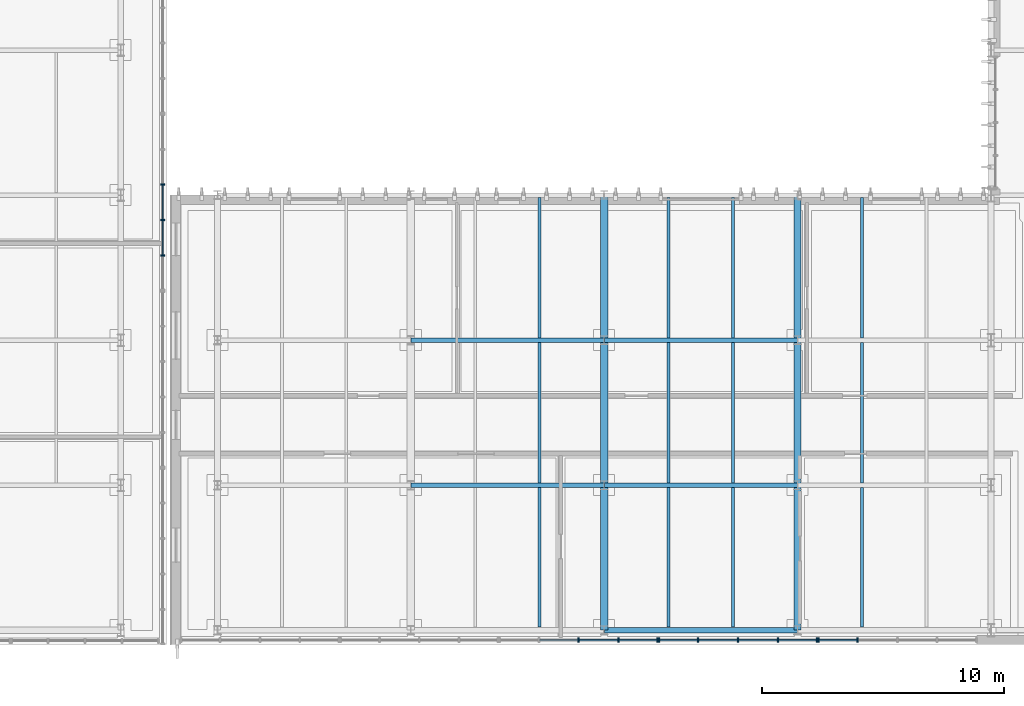
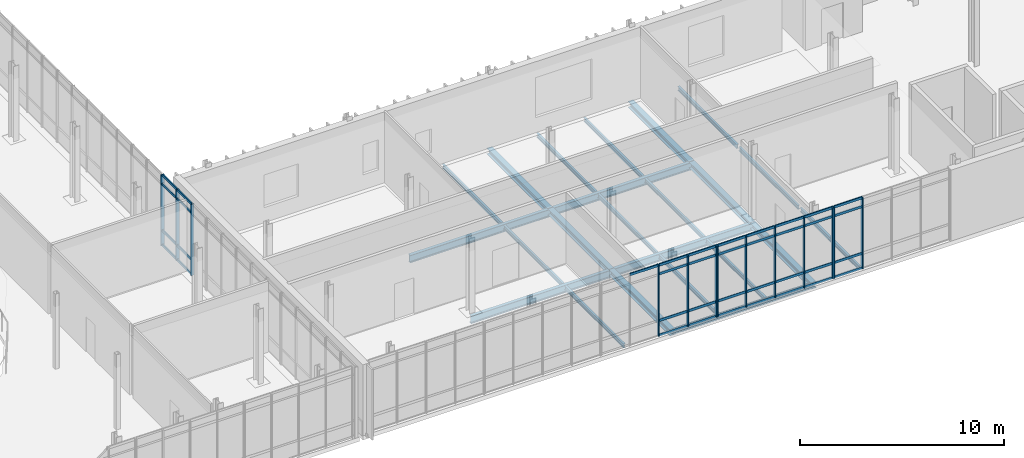
# One storey, part 32 of 100: 50 members, 23 beams, 4 elements without a shape of their own.
"""IFC4 building model written with IfcOpenShell, lengths in metres."""

from ifc_helpers import new_model, si_unit, direction, frame, origin, origin_2d, place, context, subcontext, project, spatial, rectangle, i_section, extrude, material, material_profile, profile_set, type_object, element, aggregate, save


model = new_model("IFC4")

# Units and contexts
model_context = context("Model", 3, precision=1e-05, world=origin(), true_north=direction((0.0, 1.0)))
body_context = subcontext(model_context, "Body", "Model", "MODEL_VIEW")
ifc_project = project(units=[si_unit("LENGTHUNIT", "METRE"), si_unit("AREAUNIT", "SQUARE_METRE"), si_unit("VOLUMEUNIT", "CUBIC_METRE"), si_unit("PLANEANGLEUNIT", "RADIAN"), si_unit("MASSUNIT", "GRAM", prefix="KILO")], contexts=[model_context])

# Site, building, storey
site_placement = place(None, origin())
site = spatial("IfcSite", under=ifc_project, at=site_placement, CompositionType="ELEMENT")
building_placement = place(site_placement, origin())
building = spatial("IfcBuilding", under=site, at=building_placement, Name="Cymarion Research Institute", CompositionType="ELEMENT")
storey_placement = place(building_placement, frame((0.0, 0.0, 9.300048828125)))
storey = spatial("IfcBuildingStorey", under=building, at=storey_placement, Name="L02", CompositionType="ELEMENT", Elevation=9.300048828125)

# Curtain wall, members
ifc_material_1 = material(Name="Anodised aluminium unitised curtain wall with Low-E glazing", Category="aluminium")
curtain_wall_type_1 = type_object("IfcCurtainWallType", Name="UNITISED CURTAIN WALL CW01 6590X4250", PredefinedType="NOTDEFINED", material=ifc_material_1)
curtain_wall_1_placement = place(storey_placement, origin())
curtain_wall_1 = element("IfcCurtainWall", 1, at=curtain_wall_1_placement, inside=storey, type_object=curtain_wall_type_1, Name="L02 V1 unitised curtain wall CW01 #62", PredefinedType="NOTDEFINED")
ifc_material_2 = material(Name="Anodised aluminium framing", Category="aluminium")
ifc_material_profile_1 = material_profile(ifc_material_2, rectangle(XDim=0.06005859375, YDim=0.179931640625, at=origin_2d()), Name="ALU MULLION 60x180")
ifc_profile_set_1 = profile_set([ifc_material_profile_1], Name="Anodised aluminium framing")
member_type_1 = type_object("IfcMemberType", Name="CURTAIN WALL MULLION ML01 60X180", PredefinedType="MULLION", material=ifc_profile_set_1)
member_1_placement = place(storey_placement, frame((121.544677734375, 5.090087890625, 0.0), z_axis=(0.0, 0.0, 1.0), x_axis=(1.0, 0.0, 0.0)))
member_1 = element("IfcMember", 2, at=member_1_placement, type_object=member_type_1, Name="CW01 mullion 3", PredefinedType="MULLION", context=body_context, shape_type="SweptSolid", body=[
    extrude(rectangle(XDim=0.06005859375, YDim=0.179931640625, at=origin_2d()), origin(), (0.0, 0.0, 1.0), 4.25),
])
member_2_placement = place(storey_placement, frame((123.193115234375, 5.090087890625, 0.0), z_axis=(0.0, 0.0, 1.0), x_axis=(1.0, 0.0, 0.0)))
member_2 = element("IfcMember", 3, at=member_2_placement, type_object=member_type_1, Name="CW01 mullion 4", PredefinedType="MULLION", context=body_context, shape_type="SweptSolid", body=[
    extrude(rectangle(XDim=0.06005859375, YDim=0.179931640625, at=origin_2d()), origin(), (0.0, 0.0, 1.0), 4.25),
])
member_3_placement = place(storey_placement, frame((124.811279296875, 5.090087890625, 0.0), z_axis=(0.0, 0.0, 1.0), x_axis=(1.0, 0.0, 0.0)))
member_3 = element("IfcMember", 4, at=member_3_placement, type_object=member_type_1, Name="CW01 mullion 5", PredefinedType="MULLION", context=body_context, shape_type="SweptSolid", body=[
    extrude(rectangle(XDim=0.06005859375, YDim=0.179931640625, at=origin_2d()), origin(), (0.0, 0.0, 1.0), 4.25),
])

curtain_wall_2_placement = place(storey_placement, origin())
curtain_wall_2 = element("IfcCurtainWall", 5, at=curtain_wall_2_placement, inside=storey, type_object=curtain_wall_type_1, Name="L02 V1 unitised curtain wall CW01 #63", PredefinedType="NOTDEFINED")
member_4_placement = place(storey_placement, frame((124.871337890625, 5.090087890625, 0.0), z_axis=(0.0, 0.0, 1.0), x_axis=(1.0, 0.0, 0.0)))
member_4 = element("IfcMember", 6, at=member_4_placement, type_object=member_type_1, Name="CW01 mullion 1", PredefinedType="MULLION", context=body_context, shape_type="SweptSolid", body=[
    extrude(rectangle(XDim=0.06005859375, YDim=0.179931640625, at=origin_2d()), origin(), (0.0, 0.0, 1.0), 4.25),
])
member_5_placement = place(storey_placement, frame((126.489501953125, 5.090087890625, 0.0), z_axis=(0.0, 0.0, 1.0), x_axis=(1.0, 0.0, 0.0)))
member_5 = element("IfcMember", 7, at=member_5_placement, type_object=member_type_1, Name="CW01 mullion 2", PredefinedType="MULLION", context=body_context, shape_type="SweptSolid", body=[
    extrude(rectangle(XDim=0.06005859375, YDim=0.179931640625, at=origin_2d()), origin(), (0.0, 0.0, 1.0), 4.25),
])
member_6_placement = place(storey_placement, frame((128.137939453125, 5.090087890625, 0.0), z_axis=(0.0, 0.0, 1.0), x_axis=(1.0, 0.0, 0.0)))
member_6 = element("IfcMember", 8, at=member_6_placement, type_object=member_type_1, Name="CW01 mullion 3", PredefinedType="MULLION", context=body_context, shape_type="SweptSolid", body=[
    extrude(rectangle(XDim=0.06005859375, YDim=0.179931640625, at=origin_2d()), origin(), (0.0, 0.0, 1.0), 4.25),
])
member_7_placement = place(storey_placement, frame((129.7861328125, 5.090087890625, 0.0), z_axis=(0.0, 0.0, 1.0), x_axis=(1.0, 0.0, 0.0)))
member_7 = element("IfcMember", 9, at=member_7_placement, type_object=member_type_1, Name="CW01 mullion 4", PredefinedType="MULLION", context=body_context, shape_type="SweptSolid", body=[
    extrude(rectangle(XDim=0.06005859375, YDim=0.179931640625, at=origin_2d()), origin(), (0.0, 0.0, 1.0), 4.25),
])
member_8_placement = place(storey_placement, frame((131.404296875, 5.090087890625, 0.0), z_axis=(0.0, 0.0, 1.0), x_axis=(1.0, 0.0, 0.0)))
member_8 = element("IfcMember", 10, at=member_8_placement, type_object=member_type_1, Name="CW01 mullion 5", PredefinedType="MULLION", context=body_context, shape_type="SweptSolid", body=[
    extrude(rectangle(XDim=0.06005859375, YDim=0.179931640625, at=origin_2d()), origin(), (0.0, 0.0, 1.0), 4.25),
])

curtain_wall_3_placement = place(storey_placement, origin())
curtain_wall_3 = element("IfcCurtainWall", 11, at=curtain_wall_3_placement, inside=storey, type_object=curtain_wall_type_1, Name="L02 V1 unitised curtain wall CW01 #64", PredefinedType="NOTDEFINED")
member_9_placement = place(storey_placement, frame((131.46435546875, 5.090087890625, 0.0), z_axis=(0.0, 0.0, 1.0), x_axis=(1.0, 0.0, 0.0)))
member_9 = element("IfcMember", 12, at=member_9_placement, type_object=member_type_1, Name="CW01 mullion 1", PredefinedType="MULLION", context=body_context, shape_type="SweptSolid", body=[
    extrude(rectangle(XDim=0.06005859375, YDim=0.179931640625, at=origin_2d()), origin(), (0.0, 0.0, 1.0), 4.25),
])
member_10_placement = place(storey_placement, frame((133.082763671875, 5.090087890625, 0.0), z_axis=(0.0, 0.0, 1.0), x_axis=(1.0, 0.0, 0.0)))
member_10 = element("IfcMember", 13, at=member_10_placement, type_object=member_type_1, Name="CW01 mullion 2", PredefinedType="MULLION", context=body_context, shape_type="SweptSolid", body=[
    extrude(rectangle(XDim=0.06005859375, YDim=0.179931640625, at=origin_2d()), origin(), (0.0, 0.0, 1.0), 4.25),
])

curtain_wall_type_2 = type_object("IfcCurtainWallType", Name="UNITISED CURTAIN WALL CW08 7320X4250", PredefinedType="NOTDEFINED", material=ifc_material_1)
curtain_wall_4_placement = place(storey_placement, origin())
curtain_wall_4 = element("IfcCurtainWall", 14, at=curtain_wall_4_placement, inside=storey, type_object=curtain_wall_type_2, Name="L02 V2 unitised curtain wall CW08 #80", PredefinedType="NOTDEFINED")
member_11_placement = place(storey_placement, frame((104.340087890625, 21.00390625, 0.0), z_axis=(0.0, 0.0, 1.0), x_axis=(0.0, 1.0, 0.0)))
member_11 = element("IfcMember", 15, at=member_11_placement, type_object=member_type_1, Name="CW08 mullion 2", PredefinedType="MULLION", context=body_context, shape_type="SweptSolid", body=[
    extrude(rectangle(XDim=0.06005859375, YDim=0.179931640625, at=origin_2d()), origin(), (0.0, 0.0, 1.0), 4.25),
])
member_12_placement = place(storey_placement, frame((104.340087890625, 22.468017578125, 0.0), z_axis=(0.0, 0.0, 1.0), x_axis=(0.0, 1.0, 0.0)))
member_12 = element("IfcMember", 16, at=member_12_placement, type_object=member_type_1, Name="CW08 mullion 3", PredefinedType="MULLION", context=body_context, shape_type="SweptSolid", body=[
    extrude(rectangle(XDim=0.06005859375, YDim=0.179931640625, at=origin_2d()), origin(), (0.0, 0.0, 1.0), 4.25),
])
member_13_placement = place(storey_placement, frame((104.340087890625, 23.931884765625, 0.0), z_axis=(0.0, 0.0, 1.0), x_axis=(0.0, 1.0, 0.0)))
member_13 = element("IfcMember", 17, at=member_13_placement, type_object=member_type_1, Name="CW08 mullion 4", PredefinedType="MULLION", context=body_context, shape_type="SweptSolid", body=[
    extrude(rectangle(XDim=0.06005859375, YDim=0.179931640625, at=origin_2d()), origin(), (0.0, 0.0, 1.0), 4.25),
])

# Member
ifc_material_profile_2 = material_profile(ifc_material_2, rectangle(XDim=0.06005859375, YDim=0.14990234375, at=origin_2d()), Name="ALU TRANSOM 60x150")
ifc_profile_set_2 = profile_set([ifc_material_profile_2], Name="Anodised aluminium framing")
member_type_2 = type_object("IfcMemberType", Name="CURTAIN WALL TRANSOM TR01 60X150", PredefinedType="USERDEFINED", material=ifc_profile_set_2)
member_14_placement = place(storey_placement, frame((119.926513671875, 5.090087890625, 4.219970703125), z_axis=(1.0, 0.0, 0.0), x_axis=(0.0, 1.0, 0.0)))
member_14 = element("IfcMember", 18, at=member_14_placement, type_object=member_type_2, Name="CW01 transom 2.4", ObjectType="TRANSOM", PredefinedType="USERDEFINED", context=body_context, shape_type="SweptSolid", body=[
    extrude(rectangle(XDim=0.06005859375, YDim=0.14990234375, at=origin_2d()), origin(), (0.0, 0.0, 1.0), 1.588134765625),
])

member_15_placement = place(storey_placement, frame((121.57470703125, 5.090087890625, 0.030029296875), z_axis=(1.0, 0.0, 0.0), x_axis=(0.0, 1.0, 0.0)))
member_15 = element("IfcMember", 19, at=member_15_placement, type_object=member_type_2, Name="CW01 transom 3.1", ObjectType="TRANSOM", PredefinedType="USERDEFINED", context=body_context, shape_type="SweptSolid", body=[
    extrude(rectangle(XDim=0.06005859375, YDim=0.14990234375, at=origin_2d()), origin(), (0.0, 0.0, 1.0), 1.58837890625),
])

member_16_placement = place(storey_placement, frame((121.57470703125, 5.090087890625, 0.89990234375), z_axis=(1.0, 0.0, 0.0), x_axis=(0.0, 1.0, 0.0)))
member_16 = element("IfcMember", 20, at=member_16_placement, type_object=member_type_2, Name="CW01 transom 3.2", ObjectType="TRANSOM", PredefinedType="USERDEFINED", context=body_context, shape_type="SweptSolid", body=[
    extrude(rectangle(XDim=0.06005859375, YDim=0.14990234375, at=origin_2d()), origin(), (0.0, 0.0, 1.0), 1.58837890625),
])

member_17_placement = place(storey_placement, frame((121.57470703125, 5.090087890625, 3.699951171875), z_axis=(1.0, 0.0, 0.0), x_axis=(0.0, 1.0, 0.0)))
member_17 = element("IfcMember", 21, at=member_17_placement, type_object=member_type_2, Name="CW01 transom 3.3", ObjectType="TRANSOM", PredefinedType="USERDEFINED", context=body_context, shape_type="SweptSolid", body=[
    extrude(rectangle(XDim=0.06005859375, YDim=0.14990234375, at=origin_2d()), origin(), (0.0, 0.0, 1.0), 1.58837890625),
])

member_18_placement = place(storey_placement, frame((121.57470703125, 5.090087890625, 4.219970703125), z_axis=(1.0, 0.0, 0.0), x_axis=(0.0, 1.0, 0.0)))
member_18 = element("IfcMember", 22, at=member_18_placement, type_object=member_type_2, Name="CW01 transom 3.4", ObjectType="TRANSOM", PredefinedType="USERDEFINED", context=body_context, shape_type="SweptSolid", body=[
    extrude(rectangle(XDim=0.06005859375, YDim=0.14990234375, at=origin_2d()), origin(), (0.0, 0.0, 1.0), 1.58837890625),
])

member_19_placement = place(storey_placement, frame((123.22314453125, 5.090087890625, 0.030029296875), z_axis=(1.0, 0.0, 0.0), x_axis=(0.0, 1.0, 0.0)))
member_19 = element("IfcMember", 23, at=member_19_placement, type_object=member_type_2, Name="CW01 transom 4.1", ObjectType="TRANSOM", PredefinedType="USERDEFINED", context=body_context, shape_type="SweptSolid", body=[
    extrude(rectangle(XDim=0.06005859375, YDim=0.14990234375, at=origin_2d()), origin(), (0.0, 0.0, 1.0), 1.55810546875),
])

member_20_placement = place(storey_placement, frame((123.22314453125, 5.090087890625, 0.89990234375), z_axis=(1.0, 0.0, 0.0), x_axis=(0.0, 1.0, 0.0)))
member_20 = element("IfcMember", 24, at=member_20_placement, type_object=member_type_2, Name="CW01 transom 4.2", ObjectType="TRANSOM", PredefinedType="USERDEFINED", context=body_context, shape_type="SweptSolid", body=[
    extrude(rectangle(XDim=0.06005859375, YDim=0.14990234375, at=origin_2d()), origin(), (0.0, 0.0, 1.0), 1.55810546875),
])

member_21_placement = place(storey_placement, frame((123.22314453125, 5.090087890625, 3.699951171875), z_axis=(1.0, 0.0, 0.0), x_axis=(0.0, 1.0, 0.0)))
member_21 = element("IfcMember", 25, at=member_21_placement, type_object=member_type_2, Name="CW01 transom 4.3", ObjectType="TRANSOM", PredefinedType="USERDEFINED", context=body_context, shape_type="SweptSolid", body=[
    extrude(rectangle(XDim=0.06005859375, YDim=0.14990234375, at=origin_2d()), origin(), (0.0, 0.0, 1.0), 1.55810546875),
])

member_22_placement = place(storey_placement, frame((123.22314453125, 5.090087890625, 4.219970703125), z_axis=(1.0, 0.0, 0.0), x_axis=(0.0, 1.0, 0.0)))
member_22 = element("IfcMember", 26, at=member_22_placement, type_object=member_type_2, Name="CW01 transom 4.4", ObjectType="TRANSOM", PredefinedType="USERDEFINED", context=body_context, shape_type="SweptSolid", body=[
    extrude(rectangle(XDim=0.06005859375, YDim=0.14990234375, at=origin_2d()), origin(), (0.0, 0.0, 1.0), 1.55810546875),
])

aggregate(curtain_wall_1, [member_1, member_2, member_3, member_14, member_15, member_16, member_17, member_18, member_19, member_20, member_21, member_22])

member_23_placement = place(storey_placement, frame((124.9013671875, 5.090087890625, 0.030029296875), z_axis=(1.0, 0.0, 0.0), x_axis=(0.0, 1.0, 0.0)))
member_23 = element("IfcMember", 27, at=member_23_placement, type_object=member_type_2, Name="CW01 transom 1.1", ObjectType="TRANSOM", PredefinedType="USERDEFINED", context=body_context, shape_type="SweptSolid", body=[
    extrude(rectangle(XDim=0.06005859375, YDim=0.14990234375, at=origin_2d()), origin(), (0.0, 0.0, 1.0), 1.55810546875),
])

member_24_placement = place(storey_placement, frame((124.9013671875, 5.090087890625, 0.89990234375), z_axis=(1.0, 0.0, 0.0), x_axis=(0.0, 1.0, 0.0)))
member_24 = element("IfcMember", 28, at=member_24_placement, type_object=member_type_2, Name="CW01 transom 1.2", ObjectType="TRANSOM", PredefinedType="USERDEFINED", context=body_context, shape_type="SweptSolid", body=[
    extrude(rectangle(XDim=0.06005859375, YDim=0.14990234375, at=origin_2d()), origin(), (0.0, 0.0, 1.0), 1.55810546875),
])

member_25_placement = place(storey_placement, frame((124.9013671875, 5.090087890625, 3.699951171875), z_axis=(1.0, 0.0, 0.0), x_axis=(0.0, 1.0, 0.0)))
member_25 = element("IfcMember", 29, at=member_25_placement, type_object=member_type_2, Name="CW01 transom 1.3", ObjectType="TRANSOM", PredefinedType="USERDEFINED", context=body_context, shape_type="SweptSolid", body=[
    extrude(rectangle(XDim=0.06005859375, YDim=0.14990234375, at=origin_2d()), origin(), (0.0, 0.0, 1.0), 1.55810546875),
])

member_26_placement = place(storey_placement, frame((124.9013671875, 5.090087890625, 4.219970703125), z_axis=(1.0, 0.0, 0.0), x_axis=(0.0, 1.0, 0.0)))
member_26 = element("IfcMember", 30, at=member_26_placement, type_object=member_type_2, Name="CW01 transom 1.4", ObjectType="TRANSOM", PredefinedType="USERDEFINED", context=body_context, shape_type="SweptSolid", body=[
    extrude(rectangle(XDim=0.06005859375, YDim=0.14990234375, at=origin_2d()), origin(), (0.0, 0.0, 1.0), 1.55810546875),
])

member_27_placement = place(storey_placement, frame((126.51953125, 5.090087890625, 0.030029296875), z_axis=(1.0, 0.0, 0.0), x_axis=(0.0, 1.0, 0.0)))
member_27 = element("IfcMember", 31, at=member_27_placement, type_object=member_type_2, Name="CW01 transom 2.1", ObjectType="TRANSOM", PredefinedType="USERDEFINED", context=body_context, shape_type="SweptSolid", body=[
    extrude(rectangle(XDim=0.06005859375, YDim=0.14990234375, at=origin_2d()), origin(), (0.0, 0.0, 1.0), 1.58837890625),
])

member_28_placement = place(storey_placement, frame((126.51953125, 5.090087890625, 0.89990234375), z_axis=(1.0, 0.0, 0.0), x_axis=(0.0, 1.0, 0.0)))
member_28 = element("IfcMember", 32, at=member_28_placement, type_object=member_type_2, Name="CW01 transom 2.2", ObjectType="TRANSOM", PredefinedType="USERDEFINED", context=body_context, shape_type="SweptSolid", body=[
    extrude(rectangle(XDim=0.06005859375, YDim=0.14990234375, at=origin_2d()), origin(), (0.0, 0.0, 1.0), 1.58837890625),
])

member_29_placement = place(storey_placement, frame((126.51953125, 5.090087890625, 3.699951171875), z_axis=(1.0, 0.0, 0.0), x_axis=(0.0, 1.0, 0.0)))
member_29 = element("IfcMember", 33, at=member_29_placement, type_object=member_type_2, Name="CW01 transom 2.3", ObjectType="TRANSOM", PredefinedType="USERDEFINED", context=body_context, shape_type="SweptSolid", body=[
    extrude(rectangle(XDim=0.06005859375, YDim=0.14990234375, at=origin_2d()), origin(), (0.0, 0.0, 1.0), 1.58837890625),
])

member_30_placement = place(storey_placement, frame((126.51953125, 5.090087890625, 4.219970703125), z_axis=(1.0, 0.0, 0.0), x_axis=(0.0, 1.0, 0.0)))
member_30 = element("IfcMember", 34, at=member_30_placement, type_object=member_type_2, Name="CW01 transom 2.4", ObjectType="TRANSOM", PredefinedType="USERDEFINED", context=body_context, shape_type="SweptSolid", body=[
    extrude(rectangle(XDim=0.06005859375, YDim=0.14990234375, at=origin_2d()), origin(), (0.0, 0.0, 1.0), 1.58837890625),
])

member_31_placement = place(storey_placement, frame((128.16796875, 5.090087890625, 0.030029296875), z_axis=(1.0, 0.0, 0.0), x_axis=(0.0, 1.0, 0.0)))
member_31 = element("IfcMember", 35, at=member_31_placement, type_object=member_type_2, Name="CW01 transom 3.1", ObjectType="TRANSOM", PredefinedType="USERDEFINED", context=body_context, shape_type="SweptSolid", body=[
    extrude(rectangle(XDim=0.06005859375, YDim=0.14990234375, at=origin_2d()), origin(), (0.0, 0.0, 1.0), 1.588134765625),
])

member_32_placement = place(storey_placement, frame((128.16796875, 5.090087890625, 0.89990234375), z_axis=(1.0, 0.0, 0.0), x_axis=(0.0, 1.0, 0.0)))
member_32 = element("IfcMember", 36, at=member_32_placement, type_object=member_type_2, Name="CW01 transom 3.2", ObjectType="TRANSOM", PredefinedType="USERDEFINED", context=body_context, shape_type="SweptSolid", body=[
    extrude(rectangle(XDim=0.06005859375, YDim=0.14990234375, at=origin_2d()), origin(), (0.0, 0.0, 1.0), 1.588134765625),
])

member_33_placement = place(storey_placement, frame((128.16796875, 5.090087890625, 3.699951171875), z_axis=(1.0, 0.0, 0.0), x_axis=(0.0, 1.0, 0.0)))
member_33 = element("IfcMember", 37, at=member_33_placement, type_object=member_type_2, Name="CW01 transom 3.3", ObjectType="TRANSOM", PredefinedType="USERDEFINED", context=body_context, shape_type="SweptSolid", body=[
    extrude(rectangle(XDim=0.06005859375, YDim=0.14990234375, at=origin_2d()), origin(), (0.0, 0.0, 1.0), 1.588134765625),
])

member_34_placement = place(storey_placement, frame((128.16796875, 5.090087890625, 4.219970703125), z_axis=(1.0, 0.0, 0.0), x_axis=(0.0, 1.0, 0.0)))
member_34 = element("IfcMember", 38, at=member_34_placement, type_object=member_type_2, Name="CW01 transom 3.4", ObjectType="TRANSOM", PredefinedType="USERDEFINED", context=body_context, shape_type="SweptSolid", body=[
    extrude(rectangle(XDim=0.06005859375, YDim=0.14990234375, at=origin_2d()), origin(), (0.0, 0.0, 1.0), 1.588134765625),
])

member_35_placement = place(storey_placement, frame((129.816162109375, 5.090087890625, 0.030029296875), z_axis=(1.0, 0.0, 0.0), x_axis=(0.0, 1.0, 0.0)))
member_35 = element("IfcMember", 39, at=member_35_placement, type_object=member_type_2, Name="CW01 transom 4.1", ObjectType="TRANSOM", PredefinedType="USERDEFINED", context=body_context, shape_type="SweptSolid", body=[
    extrude(rectangle(XDim=0.06005859375, YDim=0.14990234375, at=origin_2d()), origin(), (0.0, 0.0, 1.0), 1.558349609375),
])

member_36_placement = place(storey_placement, frame((129.816162109375, 5.090087890625, 0.89990234375), z_axis=(1.0, 0.0, 0.0), x_axis=(0.0, 1.0, 0.0)))
member_36 = element("IfcMember", 40, at=member_36_placement, type_object=member_type_2, Name="CW01 transom 4.2", ObjectType="TRANSOM", PredefinedType="USERDEFINED", context=body_context, shape_type="SweptSolid", body=[
    extrude(rectangle(XDim=0.06005859375, YDim=0.14990234375, at=origin_2d()), origin(), (0.0, 0.0, 1.0), 1.558349609375),
])

member_37_placement = place(storey_placement, frame((129.816162109375, 5.090087890625, 3.699951171875), z_axis=(1.0, 0.0, 0.0), x_axis=(0.0, 1.0, 0.0)))
member_37 = element("IfcMember", 41, at=member_37_placement, type_object=member_type_2, Name="CW01 transom 4.3", ObjectType="TRANSOM", PredefinedType="USERDEFINED", context=body_context, shape_type="SweptSolid", body=[
    extrude(rectangle(XDim=0.06005859375, YDim=0.14990234375, at=origin_2d()), origin(), (0.0, 0.0, 1.0), 1.558349609375),
])

member_38_placement = place(storey_placement, frame((129.816162109375, 5.090087890625, 4.219970703125), z_axis=(1.0, 0.0, 0.0), x_axis=(0.0, 1.0, 0.0)))
member_38 = element("IfcMember", 42, at=member_38_placement, type_object=member_type_2, Name="CW01 transom 4.4", ObjectType="TRANSOM", PredefinedType="USERDEFINED", context=body_context, shape_type="SweptSolid", body=[
    extrude(rectangle(XDim=0.06005859375, YDim=0.14990234375, at=origin_2d()), origin(), (0.0, 0.0, 1.0), 1.558349609375),
])

aggregate(curtain_wall_2, [member_4, member_5, member_6, member_7, member_8, member_23, member_24, member_25, member_26, member_27, member_28, member_29, member_30, member_31, member_32, member_33, member_34, member_35, member_36, member_37, member_38])

member_39_placement = place(storey_placement, frame((131.494384765625, 5.090087890625, 0.030029296875), z_axis=(1.0, 0.0, 0.0), x_axis=(0.0, 1.0, 0.0)))
member_39 = element("IfcMember", 43, at=member_39_placement, type_object=member_type_2, Name="CW01 transom 1.1", ObjectType="TRANSOM", PredefinedType="USERDEFINED", context=body_context, shape_type="SweptSolid", body=[
    extrude(rectangle(XDim=0.06005859375, YDim=0.14990234375, at=origin_2d()), origin(), (0.0, 0.0, 1.0), 1.558349609375),
])

member_40_placement = place(storey_placement, frame((131.494384765625, 5.090087890625, 0.89990234375), z_axis=(1.0, 0.0, 0.0), x_axis=(0.0, 1.0, 0.0)))
member_40 = element("IfcMember", 44, at=member_40_placement, type_object=member_type_2, Name="CW01 transom 1.2", ObjectType="TRANSOM", PredefinedType="USERDEFINED", context=body_context, shape_type="SweptSolid", body=[
    extrude(rectangle(XDim=0.06005859375, YDim=0.14990234375, at=origin_2d()), origin(), (0.0, 0.0, 1.0), 1.558349609375),
])

member_41_placement = place(storey_placement, frame((131.494384765625, 5.090087890625, 3.699951171875), z_axis=(1.0, 0.0, 0.0), x_axis=(0.0, 1.0, 0.0)))
member_41 = element("IfcMember", 45, at=member_41_placement, type_object=member_type_2, Name="CW01 transom 1.3", ObjectType="TRANSOM", PredefinedType="USERDEFINED", context=body_context, shape_type="SweptSolid", body=[
    extrude(rectangle(XDim=0.06005859375, YDim=0.14990234375, at=origin_2d()), origin(), (0.0, 0.0, 1.0), 1.558349609375),
])

member_42_placement = place(storey_placement, frame((131.494384765625, 5.090087890625, 4.219970703125), z_axis=(1.0, 0.0, 0.0), x_axis=(0.0, 1.0, 0.0)))
member_42 = element("IfcMember", 46, at=member_42_placement, type_object=member_type_2, Name="CW01 transom 1.4", ObjectType="TRANSOM", PredefinedType="USERDEFINED", context=body_context, shape_type="SweptSolid", body=[
    extrude(rectangle(XDim=0.06005859375, YDim=0.14990234375, at=origin_2d()), origin(), (0.0, 0.0, 1.0), 1.558349609375),
])

aggregate(curtain_wall_3, [member_9, member_10, member_39, member_40, member_41, member_42])

member_43_placement = place(storey_placement, frame((104.340087890625, 21.033935546875, 0.030029296875), z_axis=(0.0, 1.0, 0.0), x_axis=(-1.0, 0.0, 0.0)))
member_43 = element("IfcMember", 47, at=member_43_placement, type_object=member_type_2, Name="CW08 transom 2.1", ObjectType="TRANSOM", PredefinedType="USERDEFINED", context=body_context, shape_type="SweptSolid", body=[
    extrude(rectangle(XDim=0.06005859375, YDim=0.14990234375, at=origin_2d()), origin(), (0.0, 0.0, 1.0), 1.404052734375),
])

member_44_placement = place(storey_placement, frame((104.340087890625, 21.033935546875, 0.89990234375), z_axis=(0.0, 1.0, 0.0), x_axis=(-1.0, 0.0, 0.0)))
member_44 = element("IfcMember", 48, at=member_44_placement, type_object=member_type_2, Name="CW08 transom 2.2", ObjectType="TRANSOM", PredefinedType="USERDEFINED", context=body_context, shape_type="SweptSolid", body=[
    extrude(rectangle(XDim=0.06005859375, YDim=0.14990234375, at=origin_2d()), origin(), (0.0, 0.0, 1.0), 1.404052734375),
])

member_45_placement = place(storey_placement, frame((104.340087890625, 21.033935546875, 3.699951171875), z_axis=(0.0, 1.0, 0.0), x_axis=(-1.0, 0.0, 0.0)))
member_45 = element("IfcMember", 49, at=member_45_placement, type_object=member_type_2, Name="CW08 transom 2.3", ObjectType="TRANSOM", PredefinedType="USERDEFINED", context=body_context, shape_type="SweptSolid", body=[
    extrude(rectangle(XDim=0.06005859375, YDim=0.14990234375, at=origin_2d()), origin(), (0.0, 0.0, 1.0), 1.404052734375),
])

member_46_placement = place(storey_placement, frame((104.340087890625, 21.033935546875, 4.219970703125), z_axis=(0.0, 1.0, 0.0), x_axis=(-1.0, 0.0, 0.0)))
member_46 = element("IfcMember", 50, at=member_46_placement, type_object=member_type_2, Name="CW08 transom 2.4", ObjectType="TRANSOM", PredefinedType="USERDEFINED", context=body_context, shape_type="SweptSolid", body=[
    extrude(rectangle(XDim=0.06005859375, YDim=0.14990234375, at=origin_2d()), origin(), (0.0, 0.0, 1.0), 1.404052734375),
])

member_47_placement = place(storey_placement, frame((104.340087890625, 22.498046875, 0.030029296875), z_axis=(0.0, 1.0, 0.0), x_axis=(-1.0, 0.0, 0.0)))
member_47 = element("IfcMember", 51, at=member_47_placement, type_object=member_type_2, Name="CW08 transom 3.1", ObjectType="TRANSOM", PredefinedType="USERDEFINED", context=body_context, shape_type="SweptSolid", body=[
    extrude(rectangle(XDim=0.06005859375, YDim=0.14990234375, at=origin_2d()), origin(), (0.0, 0.0, 1.0), 1.404052734375),
])

member_48_placement = place(storey_placement, frame((104.340087890625, 22.498046875, 0.89990234375), z_axis=(0.0, 1.0, 0.0), x_axis=(-1.0, 0.0, 0.0)))
member_48 = element("IfcMember", 52, at=member_48_placement, type_object=member_type_2, Name="CW08 transom 3.2", ObjectType="TRANSOM", PredefinedType="USERDEFINED", context=body_context, shape_type="SweptSolid", body=[
    extrude(rectangle(XDim=0.06005859375, YDim=0.14990234375, at=origin_2d()), origin(), (0.0, 0.0, 1.0), 1.404052734375),
])

member_49_placement = place(storey_placement, frame((104.340087890625, 22.498046875, 3.699951171875), z_axis=(0.0, 1.0, 0.0), x_axis=(-1.0, 0.0, 0.0)))
member_49 = element("IfcMember", 53, at=member_49_placement, type_object=member_type_2, Name="CW08 transom 3.3", ObjectType="TRANSOM", PredefinedType="USERDEFINED", context=body_context, shape_type="SweptSolid", body=[
    extrude(rectangle(XDim=0.06005859375, YDim=0.14990234375, at=origin_2d()), origin(), (0.0, 0.0, 1.0), 1.404052734375),
])

member_50_placement = place(storey_placement, frame((104.340087890625, 22.498046875, 4.219970703125), z_axis=(0.0, 1.0, 0.0), x_axis=(-1.0, 0.0, 0.0)))
member_50 = element("IfcMember", 54, at=member_50_placement, type_object=member_type_2, Name="CW08 transom 3.4", ObjectType="TRANSOM", PredefinedType="USERDEFINED", context=body_context, shape_type="SweptSolid", body=[
    extrude(rectangle(XDim=0.06005859375, YDim=0.14990234375, at=origin_2d()), origin(), (0.0, 0.0, 1.0), 1.404052734375),
])

aggregate(curtain_wall_4, [member_11, member_12, member_13, member_43, member_44, member_45, member_46, member_47, member_48, member_49, member_50])

# Beams
ifc_material_3 = material(Name="Steel S355", Category="steel")
ifc_material_profile_3 = material_profile(ifc_material_3, i_section(OverallWidth=0.18994140625, OverallDepth=0.449951171875, WebThickness=0.009521484375, FlangeThickness=0.0146484375, FilletRadius=0.02099609375, at=origin_2d()), Name="IPE 450")
ifc_profile_set_3 = profile_set([ifc_material_profile_3], Name="Steel S355")
beam_type_1 = type_object("IfcBeamType", Name="PRIMARY GIRDER BM04 IPE 450", PredefinedType="BEAM", material=ifc_profile_set_3)
for number, where, z_axis, x_axis, name in (
    (55, (114.60595703125, 11.5, -0.47509765625), (1.0, 0.0, 0.0), (0.0, 1.0, 0.0), "L02 V1 girder BM04 #768"),
    (56, (122.60595703125, 11.5, -0.47509765625), (1.0, 0.0, 0.0), (0.0, 1.0, 0.0), "L02 V1 girder BM04 #769"),
    (57, (114.60595703125, 17.5, -0.47509765625), (1.0, 0.0, 0.0), (0.0, 1.0, 0.0), "L02 V1 girder BM04 #772"),
    (58, (122.60595703125, 17.5, -0.47509765625), (1.0, 0.0, 0.0), (0.0, 1.0, 0.0), "L02 V1 girder BM04 #773"),
):
    element("IfcBeam", number, at=place(storey_placement, frame(where, z_axis=z_axis, x_axis=x_axis)), inside=storey, type_object=beam_type_1, Name=name, PredefinedType="BEAM", context=body_context, shape_type="SweptSolid", body=[
        extrude(i_section(OverallWidth=0.18994140625, OverallDepth=0.449951171875, WebThickness=0.009521484375, FlangeThickness=0.0146484375, FilletRadius=0.02099609375, at=origin_2d()), origin(), (0.0, 0.0, 1.0), 7.988037109375),
    ])
ifc_material_profile_4 = material_profile(ifc_material_3, i_section(OverallWidth=0.300048828125, OverallDepth=0.35009765625, WebThickness=0.010009765625, FlangeThickness=0.017578125, FilletRadius=0.027099609375, at=origin_2d()), Name="HEA 360")
ifc_profile_set_4 = profile_set([ifc_material_profile_4], Name="Steel S355")
beam_type_2 = type_object("IfcBeamType", Name="PRIMARY GIRDER BM12 HEA 360", PredefinedType="BEAM", material=ifc_profile_set_4)
for number, where, z_axis, x_axis, name in (
    (59, (122.60009765625, 5.506103515625, -0.425048828125), (0.0, 1.0, 0.0), (-1.0, 0.0, 0.0), "L02 V1 girder BM12 #795"),
    (60, (122.60009765625, 11.506103515625, -0.425048828125), (0.0, 1.0, 0.0), (-1.0, 0.0, 0.0), "L02 V1 girder BM12 #796"),
    (61, (122.60009765625, 17.506103515625, -0.425048828125), (0.0, 1.0, 0.0), (-1.0, 0.0, 0.0), "L02 V1 girder BM12 #797"),
    (62, (130.60009765625, 5.506103515625, -0.425048828125), (0.0, 1.0, 0.0), (-1.0, 0.0, 0.0), "L02 V1 girder BM12 #798"),
    (63, (130.60009765625, 11.506103515625, -0.425048828125), (0.0, 1.0, 0.0), (-1.0, 0.0, 0.0), "L02 V1 girder BM12 #799"),
    (64, (130.60009765625, 17.506103515625, -0.425048828125), (0.0, 1.0, 0.0), (-1.0, 0.0, 0.0), "L02 V1 girder BM12 #800"),
):
    element("IfcBeam", number, at=place(storey_placement, frame(where, z_axis=z_axis, x_axis=x_axis)), inside=storey, type_object=beam_type_2, Name=name, PredefinedType="BEAM", context=body_context, shape_type="SweptSolid", body=[
        extrude(i_section(OverallWidth=0.300048828125, OverallDepth=0.35009765625, WebThickness=0.010009765625, FlangeThickness=0.017578125, FilletRadius=0.027099609375, at=origin_2d()), origin(), (0.0, 0.0, 1.0), 5.98779296875),
    ])
ifc_material_profile_5 = material_profile(ifc_material_3, i_section(OverallWidth=0.1201171875, OverallDepth=0.239990234375, WebThickness=0.006103515625, FlangeThickness=0.009765625, FilletRadius=0.014892578125, at=origin_2d()), Name="IPE 240")
ifc_profile_set_5 = profile_set([ifc_material_profile_5], Name="Steel S355")
beam_type_3 = type_object("IfcBeamType", Name="SECONDARY JOIST JS04 IPE 240", PredefinedType="JOIST", material=ifc_profile_set_5)
for number, where, z_axis, x_axis, name in (
    (65, (119.933349609375, 5.6240234375, -0.3701171875), (0.0, 1.0, 0.0), (-1.0, 0.0, 0.0), "L02 V1 secondary joist JS04 #837"),
    (66, (125.2666015625, 5.6240234375, -0.3701171875), (0.0, 1.0, 0.0), (-1.0, 0.0, 0.0), "L02 V1 secondary joist JS04 #838"),
    (67, (127.933349609375, 5.6240234375, -0.3701171875), (0.0, 1.0, 0.0), (-1.0, 0.0, 0.0), "L02 V1 secondary joist JS04 #839"),
    (68, (133.2666015625, 5.6240234375, -0.3701171875), (0.0, 1.0, 0.0), (-1.0, 0.0, 0.0), "L02 V1 secondary joist JS04 #840"),
):
    element("IfcBeam", number, at=place(storey_placement, frame(where, z_axis=z_axis, x_axis=x_axis)), inside=storey, type_object=beam_type_3, Name=name, PredefinedType="JOIST", context=body_context, shape_type="SweptSolid", body=[
        extrude(i_section(OverallWidth=0.1201171875, OverallDepth=0.239990234375, WebThickness=0.006103515625, FlangeThickness=0.009765625, FilletRadius=0.014892578125, at=origin_2d()), origin(), (0.0, 0.0, 1.0), 5.77685546875),
    ])
for number, where, z_axis, x_axis, name in (
    (69, (119.933349609375, 11.59912109375, -0.3701171875), (0.0, 1.0, 0.0), (-1.0, 0.0, 0.0), "L02 V1 secondary joist JS04 #845"),
    (70, (125.2666015625, 11.59912109375, -0.3701171875), (0.0, 1.0, 0.0), (-1.0, 0.0, 0.0), "L02 V1 secondary joist JS04 #846"),
    (71, (127.933349609375, 11.59912109375, -0.3701171875), (0.0, 1.0, 0.0), (-1.0, 0.0, 0.0), "L02 V1 secondary joist JS04 #847"),
    (72, (133.2666015625, 11.59912109375, -0.3701171875), (0.0, 1.0, 0.0), (-1.0, 0.0, 0.0), "L02 V1 secondary joist JS04 #848"),
    (73, (119.933349609375, 17.59912109375, -0.3701171875), (0.0, 1.0, 0.0), (-1.0, 0.0, 0.0), "L02 V1 secondary joist JS04 #853"),
    (74, (125.2666015625, 17.59912109375, -0.3701171875), (0.0, 1.0, 0.0), (-1.0, 0.0, 0.0), "L02 V1 secondary joist JS04 #854"),
    (75, (127.933349609375, 17.59912109375, -0.3701171875), (0.0, 1.0, 0.0), (-1.0, 0.0, 0.0), "L02 V1 secondary joist JS04 #855"),
    (76, (133.2666015625, 17.59912109375, -0.3701171875), (0.0, 1.0, 0.0), (-1.0, 0.0, 0.0), "L02 V1 secondary joist JS04 #856"),
):
    element("IfcBeam", number, at=place(storey_placement, frame(where, z_axis=z_axis, x_axis=x_axis)), inside=storey, type_object=beam_type_3, Name=name, PredefinedType="JOIST", context=body_context, shape_type="SweptSolid", body=[
        extrude(i_section(OverallWidth=0.1201171875, OverallDepth=0.239990234375, WebThickness=0.006103515625, FlangeThickness=0.009765625, FilletRadius=0.014892578125, at=origin_2d()), origin(), (0.0, 0.0, 1.0), 5.8017578125),
    ])
ifc_material_profile_6 = material_profile(ifc_material_3, i_section(OverallWidth=0.239990234375, OverallDepth=0.22998046875, WebThickness=0.007568359375, FlangeThickness=0.011962890625, FilletRadius=0.02099609375, at=origin_2d()), Name="HEA 240")
ifc_profile_set_6 = profile_set([ifc_material_profile_6], Name="Steel S355")
beam_type_4 = type_object("IfcBeamType", Name="SPANDREL BEAM SPB03 HEA 240", PredefinedType="SPANDREL", material=ifc_profile_set_6)
beam_placement = place(storey_placement, frame((122.60595703125, 5.5, -0.364990234375), z_axis=(1.0, 0.0, 0.0), x_axis=(0.0, 1.0, 0.0)))
element("IfcBeam", 77, at=beam_placement, inside=storey, type_object=beam_type_4, Name="L02 V1 girder SPB03 #763", PredefinedType="SPANDREL", context=body_context, shape_type="SweptSolid", body=[
    extrude(i_section(OverallWidth=0.239990234375, OverallDepth=0.22998046875, WebThickness=0.007568359375, FlangeThickness=0.011962890625, FilletRadius=0.02099609375, at=origin_2d()), origin(), (0.0, 0.0, 1.0), 7.988037109375),
])

save(model, "model.ifc")
